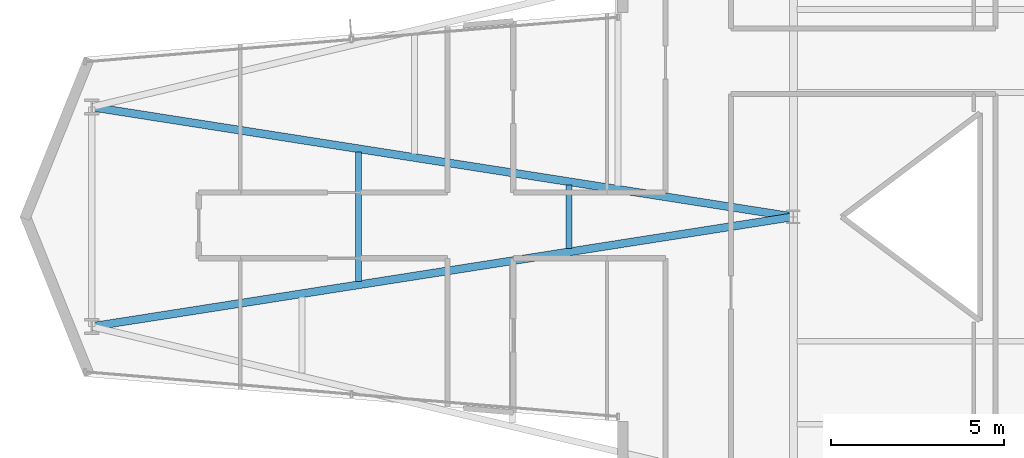
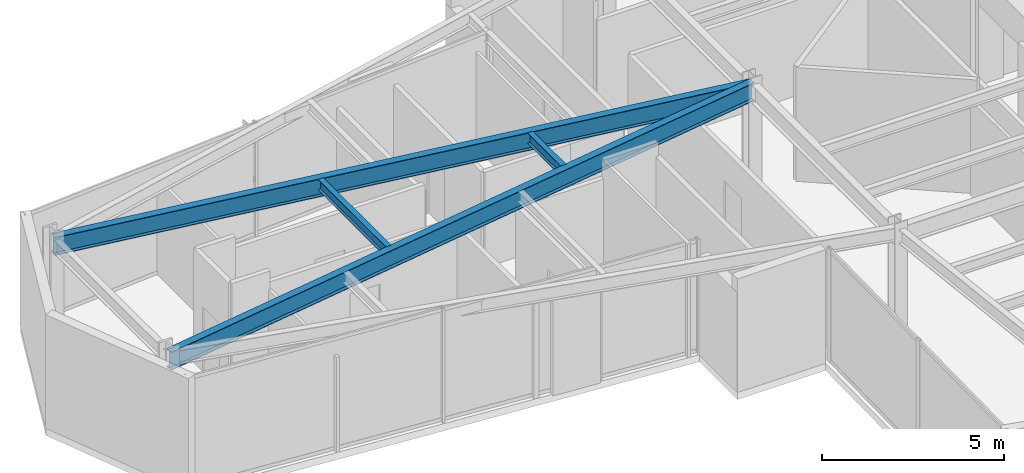
# One storey, part 7 of 26: 4 beams.
"""IFC4 building model written with IfcOpenShell, lengths in metres."""

from ifc_helpers import new_model, si_unit, direction, frame, origin, origin_2d, place, context, subcontext, project, spatial, i_section, extrude, material, material_profile, profile_set, type_object, element, save


model = new_model("IFC4")

# Units and contexts
model_context = context("Model", 3, precision=1e-05, world=origin(), true_north=direction((0.0, 1.0)))
body_context = subcontext(model_context, "Body", "Model", "MODEL_VIEW")
ifc_project = project(units=[si_unit("LENGTHUNIT", "METRE"), si_unit("AREAUNIT", "SQUARE_METRE"), si_unit("VOLUMEUNIT", "CUBIC_METRE"), si_unit("PLANEANGLEUNIT", "RADIAN"), si_unit("MASSUNIT", "GRAM", prefix="KILO")], contexts=[model_context])

# Site, building, storey
site_placement = place(None, origin())
site = spatial("IfcSite", under=ifc_project, at=site_placement, CompositionType="ELEMENT")
building_placement = place(site_placement, origin())
building = spatial("IfcBuilding", under=site, at=building_placement, Name="Veymaron Broadcast Tower", CompositionType="ELEMENT")
storey_placement = place(building_placement, frame((0.0, 0.0, 133.050048828125)))
storey = spatial("IfcBuildingStorey", under=building, at=storey_placement, Name="L30", CompositionType="ELEMENT", Elevation=133.050048828125)

# Beams
ifc_material = material(Name="Structural steel ASTM A992 Gr 50", Category="steel")
ifc_material_profile_1 = material_profile(ifc_material, i_section(OverallWidth=0.22802734375, OverallDepth=0.60791015625, WebThickness=0.01123046875, FlangeThickness=0.017333984375, at=origin_2d()), Name="W610X113")
ifc_profile_set_1 = profile_set([ifc_material_profile_1], Name="Structural steel ASTM A992 Gr 50")
beam_type_1 = type_object("IfcBeamType", Name="BM-FG2", PredefinedType="BEAM", material=ifc_profile_set_1)
for number, where, z_axis, x_axis, name in (
    (1, (10.905029296875, 20.824951171875, 3.505859375), (0.987982557998, 0.154565407164, 0.0), (-0.154565407164, 0.987982557998, 0.0), "L30 primary structural floor girder"),
    (2, (10.905029296875, 27.175048828125, 3.505859375), (0.987982557998, -0.154565407164, 0.0), (0.154565407164, 0.987982557998, 0.0), "L30 primary structural floor girder"),
):
    element("IfcBeam", number, at=place(storey_placement, frame(where, z_axis=z_axis, x_axis=x_axis)), inside=storey, type_object=beam_type_1, Name=name, PredefinedType="BEAM", context=body_context, shape_type="SweptSolid", body=[
        extrude(i_section(OverallWidth=0.22802734375, OverallDepth=0.60791015625, WebThickness=0.01123046875, FlangeThickness=0.017333984375, at=origin_2d()), origin(), (0.0, 0.0, 1.0), 20.541748046875),
    ])
ifc_material_profile_2 = material_profile(ifc_material, i_section(OverallWidth=0.1708984375, OverallDepth=0.35498046875, WebThickness=0.007080078125, FlangeThickness=0.01171875, at=origin_2d()), Name="W360X51")
ifc_profile_set_2 = profile_set([ifc_material_profile_2], Name="Structural steel ASTM A992 Gr 50")
beam_type_2 = type_object("IfcBeamType", Name="BM-JS2", PredefinedType="JOIST", material=ifc_profile_set_2)
beam_1_placement = place(storey_placement, frame((18.6171875, 22.131591796875, 3.632568359375), z_axis=(0.0, 1.0, 0.0), x_axis=(-1.0, 0.0, 0.0)))
element("IfcBeam", 3, at=beam_1_placement, inside=storey, type_object=beam_type_2, Name="L30 Arm-A secondary joist 1M", PredefinedType="JOIST", context=body_context, shape_type="SweptSolid", body=[
    extrude(i_section(OverallWidth=0.1708984375, OverallDepth=0.35498046875, WebThickness=0.007080078125, FlangeThickness=0.01171875, at=origin_2d()), origin(), (0.0, 0.0, 1.0), 3.73681640625),
])
beam_2_placement = place(storey_placement, frame((24.70556640625, 23.083984375, 3.632568359375), z_axis=(0.0, 1.0, 0.0), x_axis=(-1.0, 0.0, 0.0)))
element("IfcBeam", 4, at=beam_2_placement, inside=storey, type_object=beam_type_2, Name="L30 Arm-A secondary joist 2M", PredefinedType="JOIST", context=body_context, shape_type="SweptSolid", body=[
    extrude(i_section(OverallWidth=0.1708984375, OverallDepth=0.35498046875, WebThickness=0.007080078125, FlangeThickness=0.01171875, at=origin_2d()), origin(), (0.0, 0.0, 1.0), 1.83203125),
])

save(model, "model.ifc")
